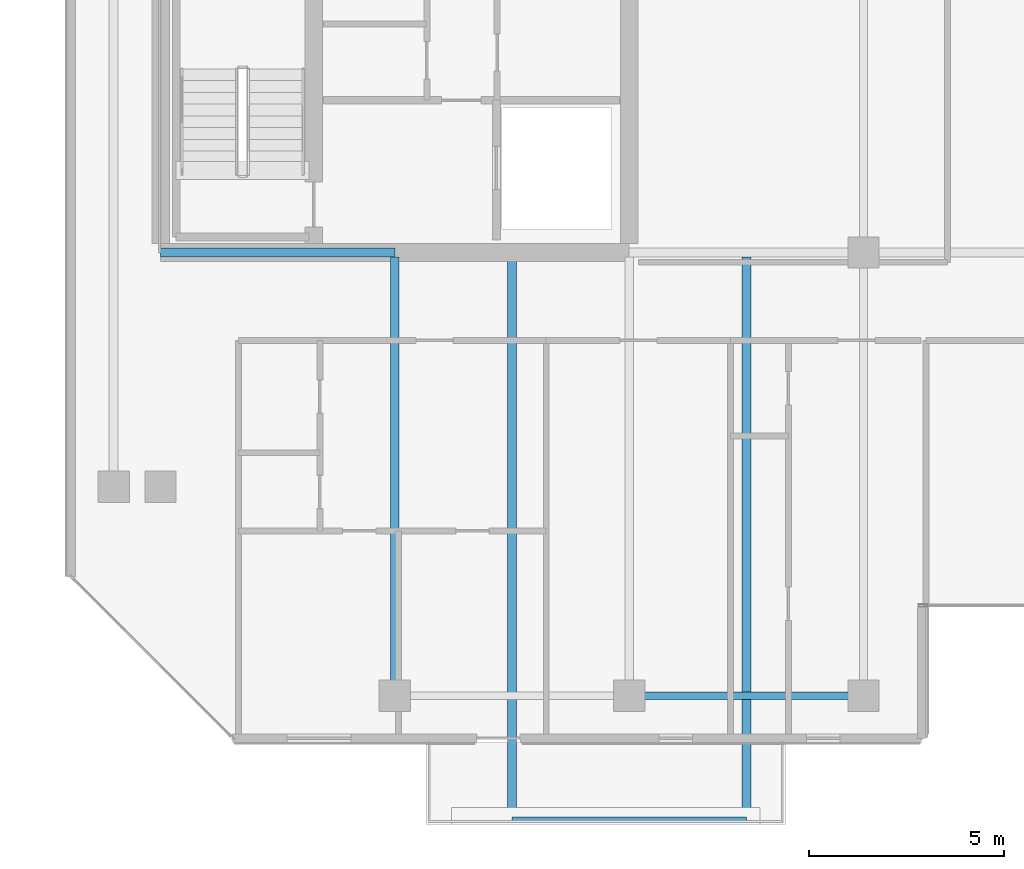
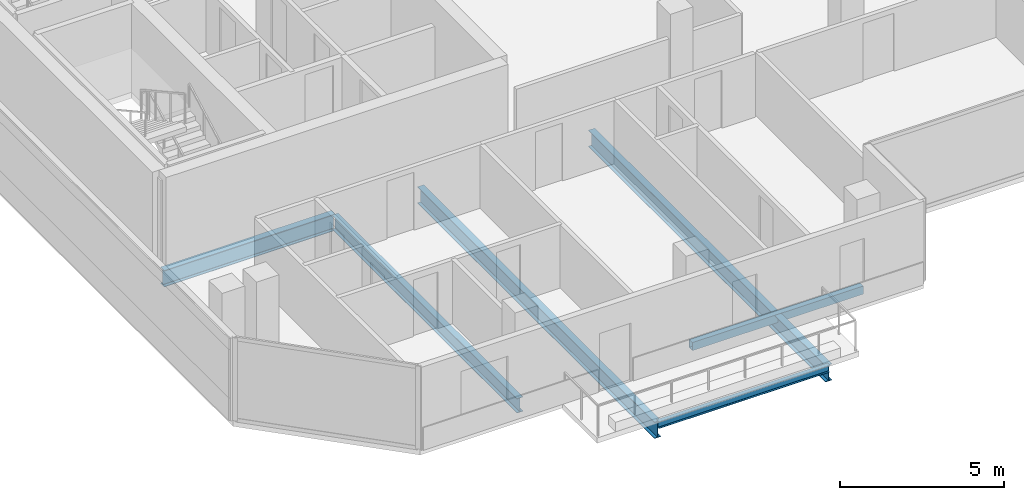
# One storey, part 3 of 29: 6 beams.
"""IFC4 building model written with IfcOpenShell, lengths in metres."""

from ifc_helpers import new_model, si_unit, direction, frame, origin, origin_2d, place, context, subcontext, project, spatial, hollow_rectangle, i_section, extrude, material, material_profile, profile_set, type_object, element, save


model = new_model("IFC4")

# Units and contexts
model_context = context("Model", 3, precision=1e-05, world=origin(), true_north=direction((0.0, 1.0)))
body_context = subcontext(model_context, "Body", "Model", "MODEL_VIEW")
ifc_project = project(units=[si_unit("LENGTHUNIT", "METRE"), si_unit("AREAUNIT", "SQUARE_METRE"), si_unit("VOLUMEUNIT", "CUBIC_METRE"), si_unit("PLANEANGLEUNIT", "RADIAN"), si_unit("MASSUNIT", "GRAM", prefix="KILO")], contexts=[model_context])

# Site, building, storey
site_placement = place(None, origin())
site = spatial("IfcSite", under=ifc_project, at=site_placement, CompositionType="ELEMENT")
building_placement = place(site_placement, origin())
building = spatial("IfcBuilding", under=site, at=building_placement, Name="Tanjung Sevakor Pilgrim Tower", CompositionType="ELEMENT")
storey_placement = place(building_placement, frame((0.0, 0.0, 188.429931640625)))
storey = spatial("IfcBuildingStorey", under=building, at=storey_placement, Name="L52", CompositionType="ELEMENT", Elevation=188.429931640625)

# Beams
ifc_material_1 = material(Name="Steel S355J2", Category="steel")
ifc_material_profile_1 = material_profile(ifc_material_1, i_section(OverallWidth=0.22900390625, OverallDepth=0.6123046875, WebThickness=0.011962890625, FlangeThickness=0.01953125, FilletRadius=0.0126953125, at=origin_2d()))
ifc_profile_set_1 = profile_set([ifc_material_profile_1], Name="Steel S355J2")
beam_type_1 = type_object("IfcBeamType", Name="BM-B-G4-UB_610x229x125", PredefinedType="BEAM", material=ifc_profile_set_1)
beam_1_placement = place(storey_placement, frame((24.0, 24.60009765625, -0.526123046875), z_axis=(1.0, 0.0, 0.0), x_axis=(0.0, 1.0, 0.0)))
element("IfcBeam", 1, at=beam_1_placement, inside=storey, type_object=beam_type_1, Name="L52 Primary Floor Girder MAIN Y246-01", PredefinedType="BEAM", context=body_context, shape_type="SweptSolid", body=[
    extrude(i_section(OverallWidth=0.22900390625, OverallDepth=0.6123046875, WebThickness=0.011962890625, FlangeThickness=0.01953125, FilletRadius=0.0126953125, at=origin_2d()), origin(), (0.0, 0.0, 1.0), 6.0),
])
for number, where, z_axis, x_axis, name in (
    (2, (33.0, 24.485595703125, -0.526123046875), (0.0, -1.0, 0.0), (1.0, 0.0, 0.0), "L52 Balcony Cantilever Beam MAIN-S1-1"),
    (3, (39.0, 24.485595703125, -0.526123046875), (0.0, -1.0, 0.0), (1.0, 0.0, 0.0), "L52 Balcony Cantilever Beam MAIN-S1-2"),
):
    element("IfcBeam", number, at=place(storey_placement, frame(where, z_axis=z_axis, x_axis=x_axis)), inside=storey, type_object=beam_type_1, Name=name, PredefinedType="BEAM", context=body_context, shape_type="SweptSolid", body=[
        extrude(i_section(OverallWidth=0.22900390625, OverallDepth=0.6123046875, WebThickness=0.011962890625, FlangeThickness=0.01953125, FilletRadius=0.0126953125, at=origin_2d()), origin(), (0.0, 0.0, 1.0), 14.41552734375),
    ])
ifc_material_2 = material(Name="Steel S355J2", Category="steel")
ifc_material_profile_2 = material_profile(ifc_material_2, i_section(OverallWidth=0.2119140625, OverallDepth=0.54443359375, WebThickness=0.0126953125, FlangeThickness=0.021240234375, FilletRadius=0.0126953125, at=origin_2d()))
ifc_profile_set_2 = profile_set([ifc_material_profile_2], Name="Steel S355J2")
beam_type_2 = type_object("IfcBeamType", Name="BM-B-G5-UB_533x210x122", PredefinedType="BEAM", material=ifc_profile_set_2)
beam_2_placement = place(storey_placement, frame((30.0, 13.25, -0.4921875), z_axis=(0.0, 1.0, 0.0), x_axis=(-1.0, 0.0, 0.0)))
element("IfcBeam", 4, at=beam_2_placement, inside=storey, type_object=beam_type_2, Name="L52 MAIN Girder 001", PredefinedType="BEAM", context=body_context, shape_type="SweptSolid", body=[
    extrude(i_section(OverallWidth=0.2119140625, OverallDepth=0.54443359375, WebThickness=0.0126953125, FlangeThickness=0.021240234375, FilletRadius=0.0126953125, at=origin_2d()), origin(), (0.0, 0.0, 1.0), 11.235595703125),
])
ifc_material_3 = material(Name="Steel S355J2", Category="steel")
ifc_material_profile_3 = material_profile(ifc_material_3, i_section(OverallWidth=0.146484375, OverallDepth=0.256103515625, WebThickness=0.00634765625, FlangeThickness=0.010986328125, FilletRadius=0.007568359375, at=origin_2d()))
ifc_profile_set_3 = profile_set([ifc_material_profile_3], Name="Steel S355J2")
beam_type_3 = type_object("IfcBeamType", Name="BM-B-J6-UB_254x146x37", PredefinedType="JOIST", material=ifc_profile_set_3)
beam_3_placement = place(storey_placement, frame((33.0, 10.070068359375, -0.327880859375), z_axis=(1.0, 0.0, 0.0), x_axis=(0.0, 1.0, 0.0)))
element("IfcBeam", 5, at=beam_3_placement, inside=storey, type_object=beam_type_3, Name="L52 Balcony Rim Tie MAIN-S1", PredefinedType="JOIST", context=body_context, shape_type="SweptSolid", body=[
    extrude(i_section(OverallWidth=0.146484375, OverallDepth=0.256103515625, WebThickness=0.00634765625, FlangeThickness=0.010986328125, FilletRadius=0.007568359375, at=origin_2d()), origin(), (0.0, 0.0, 1.0), 6.0),
])
ifc_material_4 = material(Name="Steel S355J2", Category="steel")
ifc_material_profile_4 = material_profile(ifc_material_4, hollow_rectangle(XDim=0.199951171875, YDim=0.300048828125, WallThickness=0.012451171875, at=origin_2d()))
ifc_profile_set_4 = profile_set([ifc_material_profile_4], Name="Steel S355J2")
beam_type_4 = type_object("IfcBeamType", Name="BM-B-SP3-RHS_300x200x12.5", PredefinedType="SPANDREL", material=ifc_profile_set_4)
beam_4_placement = place(storey_placement, frame((36.0, 13.25, -0.369873046875), z_axis=(1.0, 0.0, 0.0), x_axis=(0.0, 1.0, 0.0)))
element("IfcBeam", 6, at=beam_4_placement, inside=storey, type_object=beam_type_4, Name="L52 Spandrel MAIN S-03", PredefinedType="SPANDREL", context=body_context, shape_type="SweptSolid", body=[
    extrude(hollow_rectangle(XDim=0.199951171875, YDim=0.300048828125, WallThickness=0.012451171875, at=origin_2d()), origin(), (0.0, 0.0, 1.0), 6.0),
])

save(model, "model.ifc")
